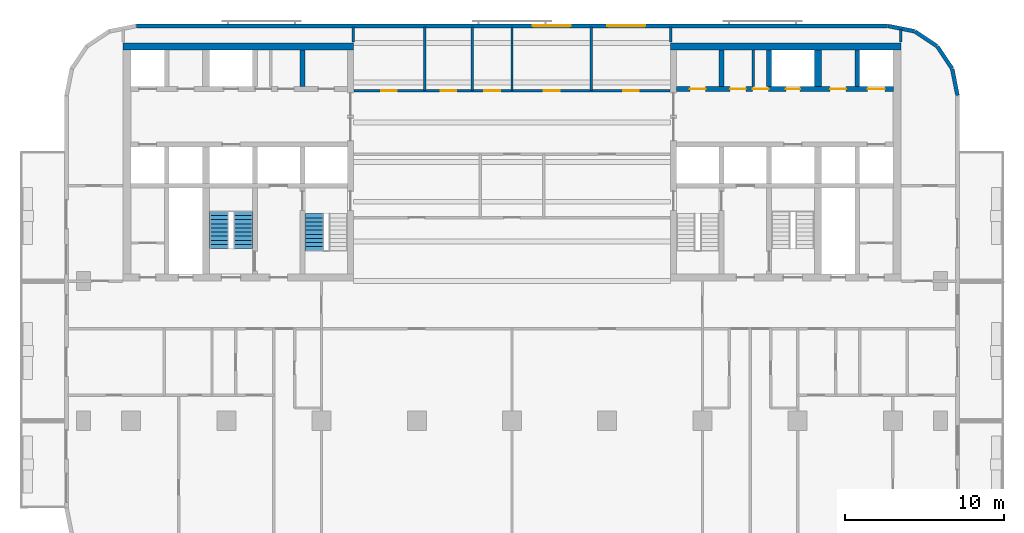
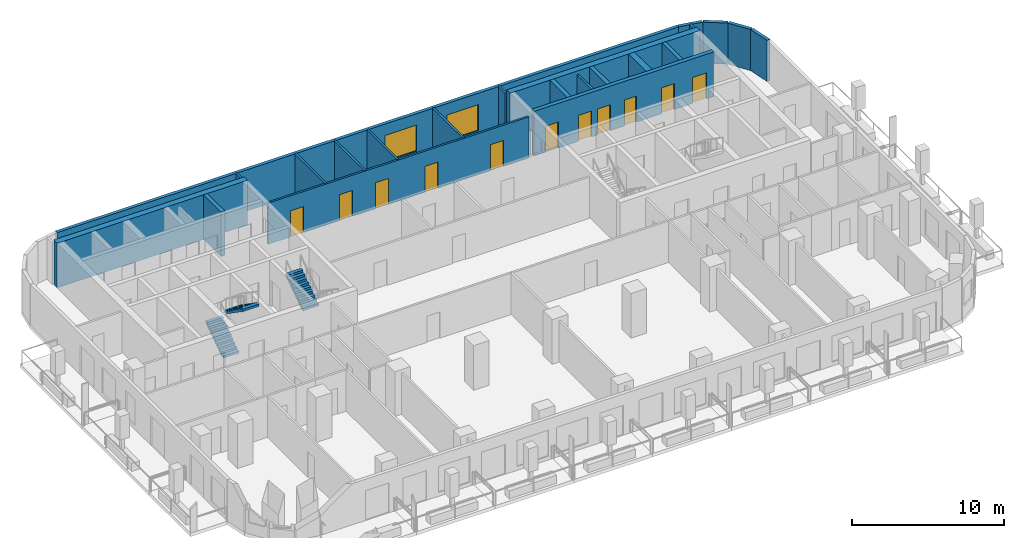
# One storey, part 7 of 11: 22 walls, 11 doors, 3 stair flights, 2 windows, 13 openings, 2 elements without a shape of their own.
"""IFC4 building model written with IfcOpenShell, lengths in metres."""

import ifcopenshell
import ifcopenshell.guid

model = None  # the IFC model being written
_history = None  # IfcOwnerHistory: only IFC2X3 demands one
_inside = {}  # id of a spatial element -> (the spatial element, [elements in it])
_under = {}  # id of a project, library or spatial element -> (it, [spatial elements below it])
_declared = {}  # id of a project -> (the project, [libraries it declares])
_typed = {}  # id of a type object -> (the type object, [elements of that type])
_made_of = {}  # id of a material, layer set ... -> (it, [elements and type objects made of it])


def new_model(schema):
    """Start an empty IFC model of exactly this schema.

    Asked for "IFC4X3", IfcOpenShell would pick the latest addendum, in which some entities
    have other attributes; the version numbers below select the first issue.
    IFC2X3 requires an IfcOwnerHistory on every rooted entity: one is made here for all.
    """
    global model, _history
    if schema == "IFC4X3":
        model = ifcopenshell.file(schema_version=(4, 3, 0, 0))
    else:
        model = ifcopenshell.file(schema=schema)
    _inside.clear()
    _under.clear()
    _declared.clear()
    _typed.clear()
    _made_of.clear()
    _history = None
    if model.schema == "IFC2X3":
        org = make("IfcOrganization", Name="unknown")
        user = make(
            "IfcPersonAndOrganization",
            ThePerson=make("IfcPerson", FamilyName="unknown"),
            TheOrganization=org,
        )
        app = make(
            "IfcApplication",
            ApplicationDeveloper=org,
            Version="unknown",
            ApplicationFullName="unknown",
            ApplicationIdentifier="unknown",
        )
        _history = make(
            "IfcOwnerHistory",
            OwningUser=user,
            OwningApplication=app,
            ChangeAction="ADDED",
            CreationDate=0,
        )
    return model


def make(cls, **values):
    """One entity of the class cls with the attributes given. An attribute that is None is left unset."""
    return model.create_entity(
        cls, **{name: value for name, value in values.items() if value is not None}
    )


def rooted(cls, **values):
    """An entity with a GlobalId (a new one), such as an element, a storey or a relation."""
    return make(cls, GlobalId=ifcopenshell.guid.new(), OwnerHistory=_history, **values)


def si_unit(unit_type, name, prefix=None):
    """IfcSIUnit, for example si_unit("LENGTHUNIT", "METRE", prefix="MILLI")."""
    return make("IfcSIUnit", UnitType=unit_type, Prefix=prefix, Name=name)


def assignment(units):
    """IfcUnitAssignment: the units of a project."""
    return None if units is None else make("IfcUnitAssignment", Units=units)


def point(xyz):
    """IfcCartesianPoint."""
    return None if xyz is None else make("IfcCartesianPoint", Coordinates=xyz)


def direction(xyz):
    """IfcDirection."""
    return None if xyz is None else make("IfcDirection", DirectionRatios=xyz)


def frame(location, z_axis=None, x_axis=None):
    """IfcAxis2Placement3D, a coordinate frame: its origin and axes. An axis left out is left unset."""
    return make(
        "IfcAxis2Placement3D",
        Location=point(location),
        Axis=direction(z_axis),
        RefDirection=direction(x_axis),
    )


def frame_2d(location, x_axis=None):
    """IfcAxis2Placement2D, a coordinate frame in the plane: its origin and x axis."""
    return make(
        "IfcAxis2Placement2D", Location=point(location), RefDirection=direction(x_axis)
    )


def origin():
    """The frame at (0, 0, 0) with its axes left unset."""
    return frame((0.0, 0.0, 0.0))


def place(relative_to, where):
    """IfcLocalPlacement: puts the frame where relative to a parent placement (None: the world)."""
    return make(
        "IfcLocalPlacement", PlacementRelTo=relative_to, RelativePlacement=where
    )


def context(
    kind, dimensions, precision=None, world=None, true_north=None, identifier=None
):
    """IfcGeometricRepresentationContext, for example the 3D "Model" context."""
    return make(
        "IfcGeometricRepresentationContext",
        ContextIdentifier=identifier,
        ContextType=kind,
        CoordinateSpaceDimension=dimensions,
        Precision=precision,
        WorldCoordinateSystem=world,
        TrueNorth=true_north,
    )


def subcontext(parent, identifier, kind, view, scale=None):
    """IfcGeometricRepresentationSubContext, for example "Body" below "Model"."""
    return make(
        "IfcGeometricRepresentationSubContext",
        ContextIdentifier=identifier,
        ContextType=kind,
        ParentContext=parent,
        TargetScale=scale,
        TargetView=view,
    )


def project(units=None, contexts=None):
    """IfcProject with its units and contexts."""
    return rooted(
        "IfcProject",
        Name="project",
        RepresentationContexts=contexts,
        UnitsInContext=assignment(units),
    )


def spatial(cls, under=None, at=None, **own):
    """A site, building, storey or space (cls), placed at a placement, below another one or the project."""
    s = rooted(cls, ObjectPlacement=at, **own)
    if under is not None:
        _under.setdefault(under.id(), (under, []))[1].append(s)
    return s


def polyline(points):
    """IfcPolyline through the points."""
    return make("IfcPolyline", Points=[point(p) for p in points])


def profile(cls, at=None, kind="AREA", **sizes):
    """A parametric profile (cls). Its sizes go by their IFC names, for example OverallWidth=200.0."""
    return make(cls, ProfileType=kind, Position=at, **sizes)


def rectangle(**sizes):
    """IfcRectangleProfileDef."""
    return profile("IfcRectangleProfileDef", **sizes)


def outline(outer, holes=None, kind="AREA"):
    """IfcArbitraryClosedProfileDef: a profile drawn as a closed curve; with holes, ...WithVoids."""
    if holes is None:
        return make("IfcArbitraryClosedProfileDef", ProfileType=kind, OuterCurve=outer)
    return make(
        "IfcArbitraryProfileDefWithVoids",
        ProfileType=kind,
        OuterCurve=outer,
        InnerCurves=holes,
    )


def extrude(swept, where, along, depth):
    """IfcExtrudedAreaSolid: the profile swept, set in the frame where, extruded along a direction by depth."""
    return make(
        "IfcExtrudedAreaSolid",
        SweptArea=swept,
        Position=where,
        ExtrudedDirection=direction(along),
        Depth=depth,
    )


def shape(context_of_items, identifier, shape_type, items):
    """IfcShapeRepresentation: the items that make up one representation, for example the "Body"."""
    return make(
        "IfcShapeRepresentation",
        ContextOfItems=context_of_items,
        RepresentationIdentifier=identifier,
        RepresentationType=shape_type,
        Items=items,
    )


def material(Name=None, Category=None):
    """IfcMaterial."""
    return make("IfcMaterial", Name=Name, Category=Category)


def layer(
    of_material, thickness, ventilated=None, Name=None, Category=None, Priority=None
):
    """IfcMaterialLayer: one layer of a wall or slab, of a material (None: an air gap)."""
    return make(
        "IfcMaterialLayer",
        Material=of_material,
        LayerThickness=thickness,
        IsVentilated=ventilated,
        Name=Name,
        Category=Category,
        Priority=Priority,
    )


def layer_set(layers, Name=None):
    """IfcMaterialLayerSet."""
    return make("IfcMaterialLayerSet", MaterialLayers=layers, LayerSetName=Name)


def made_of(thing, what):
    """Note that an element or type object is made of a material, layer set ...; save() writes the relation."""
    if what is not None:
        _made_of.setdefault(what.id(), (what, []))[1].append(thing)
    return thing


def type_object(cls, material=None, **own):
    """A type object (cls), such as IfcWallType, which elements share."""
    return made_of(rooted(cls, **own), material)


def element(
    cls,
    number,
    at=None,
    inside=None,
    cuts=None,
    type_object=None,
    material=None,
    context=None,
    identifier="Body",
    shape_type=None,
    held_by="IfcProductDefinitionShape",
    body=None,
    shapes=None,
    **own,
):
    """One element of the class cls, such as IfcWall. Its Tag is "e" and its number.

    at: its placement. inside: the storey or other place that contains it. cuts: it is an
    opening in that element (IfcRelVoidsElement). A single representation is given by context,
    identifier, shape_type and body (its items); several are given by shapes. held_by: the class
    of the entity that holds the representations. save() writes the other relations.
    """
    e = rooted(cls, Tag="e%d" % number, ObjectPlacement=at, **own)
    if body is not None:
        shapes = [shape(context, identifier, shape_type, body)]
    if shapes is not None:
        e.Representation = make(held_by, Representations=shapes)
    if inside is not None:
        _inside.setdefault(inside.id(), (inside, []))[1].append(e)
    if cuts is not None:
        rooted(
            "IfcRelVoidsElement", RelatingBuildingElement=cuts, RelatedOpeningElement=e
        )
    if type_object is not None:
        _typed.setdefault(type_object.id(), (type_object, []))[1].append(e)
    return made_of(e, material)


def fill(opening, filler):
    """IfcRelFillsElement: the door or window that sits in an opening."""
    return rooted(
        "IfcRelFillsElement",
        RelatingOpeningElement=opening,
        RelatedBuildingElement=filler,
    )


def aggregate(whole, parts):
    """IfcRelAggregates: a whole, such as a stair, and the parts it consists of."""
    return rooted("IfcRelAggregates", RelatingObject=whole, RelatedObjects=parts)


def save(model, path):
    """Write the relations noted so far, then the file.

    IfcRelAggregates (storeys below a building ...), IfcRelContainedInSpatialStructure (elements
    in a storey), IfcRelDefinesByType, IfcRelAssociatesMaterial and IfcRelDeclares: one each for
    every whole, place, type object, material and project.
    """
    for whole, parts in _under.values():
        aggregate(whole, parts)
    for where, things in _inside.values():
        rooted(
            "IfcRelContainedInSpatialStructure",
            RelatedElements=things,
            RelatingStructure=where,
        )
    for kind, things in _typed.values():
        rooted("IfcRelDefinesByType", RelatedObjects=things, RelatingType=kind)
    for what, things in _made_of.values():
        rooted("IfcRelAssociatesMaterial", RelatedObjects=things, RelatingMaterial=what)
    for by, libraries in _declared.values():
        rooted("IfcRelDeclares", RelatingContext=by, RelatedDefinitions=libraries)
    model.write(path)


model = new_model("IFC4")

# Units and contexts
model_context = context("Model", 3, precision=1e-05, world=origin(), true_north=direction((0.0, 1.0)))
body_context = subcontext(model_context, "Body", "Model", "MODEL_VIEW")
ifc_project = project(units=[si_unit("LENGTHUNIT", "METRE"), si_unit("AREAUNIT", "SQUARE_METRE"), si_unit("VOLUMEUNIT", "CUBIC_METRE"), si_unit("PLANEANGLEUNIT", "RADIAN"), si_unit("MASSUNIT", "GRAM", prefix="KILO")], contexts=[model_context])

# Site, building, storey
site_placement = place(None, origin())
site = spatial("IfcSite", under=ifc_project, at=site_placement, CompositionType="ELEMENT")
building_placement = place(site_placement, origin())
building = spatial("IfcBuilding", under=site, at=building_placement, Name="Torana Hotel and Residences", CompositionType="ELEMENT")
storey_placement = place(building_placement, frame((0.0, 0.0, 130.800048828125)))
storey = spatial("IfcBuildingStorey", under=building, at=storey_placement, Name="L33", CompositionType="ELEMENT", Elevation=130.800048828125)

# Wall
ifc_material_1 = material(Name="Concrete C70/85", Category="concrete")
ifc_layer_1 = layer(ifc_material_1, 0.300048828125)
ifc_layer_set_1 = layer_set([ifc_layer_1], Name="CORE WALL 300 C70/85")
wall_type_1 = type_object("IfcWallType", Name="CORE WALL 300 C70/85", PredefinedType="SHEAR", material=ifc_layer_set_1)
wall_1_placement = place(storey_placement, frame((-13.199951171875, -2.75, 0.0), z_axis=(0.0, 0.0, 1.0), x_axis=(0.0, 1.0, 0.0)))
element("IfcWall", 1, at=wall_1_placement, inside=storey, type_object=wall_type_1, Name="Core wall W x3.05-N", PredefinedType="SHEAR", context=body_context, shape_type="SweptSolid", body=[
    extrude(rectangle(XDim=2.300048828125, YDim=0.300048828125, at=frame_2d((1.14990234375, 0.0))), origin(), (0.0, 0.0, 1.0), 3.599853515625),
])

# Wall, openings, doors
wall_2_placement = place(storey_placement, frame((10.35009765625, -2.89990234375, 0.0), z_axis=(0.0, 0.0, 1.0), x_axis=(1.0, 0.0, 0.0)))
wall_2 = element("IfcWall", 2, at=wall_2_placement, inside=storey, type_object=wall_type_1, Name="Core wall E row-N", PredefinedType="SHEAR", context=body_context, shape_type="SweptSolid", body=[
    extrude(rectangle(XDim=13.699951171875, YDim=0.300048828125, at=frame_2d((6.85009765625, 0.0))), origin(), (0.0, 0.0, 1.0), 3.599853515625),
])
opening_1_placement = place(wall_2_placement, frame((12.050048828125, 0.0, 0.0)))
opening_1 = element("IfcOpeningElement", 3, at=opening_1_placement, cuts=wall_2, Name="Opening LD", PredefinedType="OPENING", context=body_context, shape_type="SweptSolid", body=[
    extrude(rectangle(XDim=1.10009765625, YDim=2.10009765625, at=frame_2d((0.550048828125, 1.050048828125))), frame((0.0, 0.159912109375, 0.0), z_axis=(0.0, -1.0, 0.0), x_axis=(1.0, 0.0, 0.0)), (0.0, 0.0, 1.0), 0.320068359375),
])
opening_2_placement = place(wall_2_placement, frame((6.89990234375, 0.0, 0.0)))
opening_2 = element("IfcOpeningElement", 4, at=opening_2_placement, cuts=wall_2, Name="Opening L33-22", PredefinedType="OPENING", context=body_context, shape_type="SweptSolid", body=[
    extrude(rectangle(XDim=0.89990234375, YDim=2.10009765625, at=frame_2d((0.449951171875, 1.050048828125))), frame((0.0, 0.159912109375, 0.0), z_axis=(0.0, -1.0, 0.0), x_axis=(1.0, 0.0, 0.0)), (0.0, 0.0, 1.0), 0.320068359375),
])
opening_3_placement = place(wall_2_placement, frame((0.85009765625, 0.0, 0.0)))
opening_3 = element("IfcOpeningElement", 5, at=opening_3_placement, cuts=wall_2, Name="Opening L33-23", PredefinedType="OPENING", context=body_context, shape_type="SweptSolid", body=[
    extrude(rectangle(XDim=1.0, YDim=2.10009765625, at=frame_2d((0.5, 1.050048828125))), frame((0.0, 0.159912109375, 0.0), z_axis=(0.0, -1.0, 0.0), x_axis=(1.0, 0.0, 0.0)), (0.0, 0.0, 1.0), 0.320068359375),
])
opening_4_placement = place(wall_2_placement, frame((3.387451171875, 0.0, 0.0)))
opening_4 = element("IfcOpeningElement", 6, at=opening_4_placement, cuts=wall_2, Name="Opening L33-24", PredefinedType="OPENING", context=body_context, shape_type="SweptSolid", body=[
    extrude(rectangle(XDim=1.0, YDim=2.10009765625, at=frame_2d((0.5, 1.050048828125))), frame((0.0, 0.159912109375, 0.0), z_axis=(0.0, -1.0, 0.0), x_axis=(1.0, 0.0, 0.0)), (0.0, 0.0, 1.0), 0.320068359375),
])
opening_5_placement = place(wall_2_placement, frame((4.8125, 0.0, 0.0)))
opening_5 = element("IfcOpeningElement", 7, at=opening_5_placement, cuts=wall_2, Name="Opening L33-25", PredefinedType="OPENING", context=body_context, shape_type="SweptSolid", body=[
    extrude(rectangle(XDim=1.0, YDim=2.10009765625, at=frame_2d((0.5, 1.050048828125))), frame((0.0, 0.159912109375, 0.0), z_axis=(0.0, -1.0, 0.0), x_axis=(1.0, 0.0, 0.0)), (0.0, 0.0, 1.0), 0.320068359375),
])
opening_6_placement = place(wall_2_placement, frame((9.699951171875, 0.0, 0.0)))
opening_6 = element("IfcOpeningElement", 8, at=opening_6_placement, cuts=wall_2, Name="Opening L33-26", PredefinedType="OPENING", context=body_context, shape_type="SweptSolid", body=[
    extrude(rectangle(XDim=1.0, YDim=2.10009765625, at=frame_2d((0.5, 1.050048828125))), frame((0.0, 0.159912109375, 0.0), z_axis=(0.0, -1.0, 0.0), x_axis=(1.0, 0.0, 0.0)), (0.0, 0.0, 1.0), 0.320068359375),
])
ifc_material_2 = material(Name="Steel S235", Category="steel")
door_type_1 = type_object("IfcDoorType", Name="CORE ROOM FIRE DOOR D14 1000x2100", OperationType="SINGLE_SWING_LEFT", PredefinedType="DOOR", material=ifc_material_2)
door_1_placement = place(opening_3_placement, origin())
door_1 = element("IfcDoor", 9, at=door_1_placement, inside=storey, type_object=door_type_1, Name="N0 door L33", OperationType="SINGLE_SWING_RIGHT", OverallHeight=2.10009765625, OverallWidth=1.0, PredefinedType="DOOR", context=body_context, shape_type="SweptSolid", body=[
    extrude(rectangle(XDim=1.0, YDim=2.10009765625, at=frame_2d((0.5, 1.050048828125))), frame((0.0, 0.02490234375, 0.0), z_axis=(0.0, -1.0, 0.0), x_axis=(1.0, 0.0, 0.0)), (0.0, 0.0, 1.0), 0.050048828125),
])
fill(opening_3, door_1)
door_2_placement = place(opening_4_placement, origin())
door_2 = element("IfcDoor", 10, at=door_2_placement, inside=storey, type_object=door_type_1, Name="N1A door L33", OperationType="SINGLE_SWING_RIGHT", OverallHeight=2.10009765625, OverallWidth=1.0, PredefinedType="DOOR", context=body_context, shape_type="SweptSolid", body=[
    extrude(rectangle(XDim=1.0, YDim=2.10009765625, at=frame_2d((0.5, 1.050048828125))), frame((0.0, 0.02490234375, 0.0), z_axis=(0.0, -1.0, 0.0), x_axis=(1.0, 0.0, 0.0)), (0.0, 0.0, 1.0), 0.050048828125),
])
fill(opening_4, door_2)
door_3_placement = place(opening_5_placement, origin())
door_3 = element("IfcDoor", 11, at=door_3_placement, inside=storey, type_object=door_type_1, Name="N1B door L33", OperationType="SINGLE_SWING_LEFT", OverallHeight=2.10009765625, OverallWidth=1.0, PredefinedType="DOOR", context=body_context, shape_type="SweptSolid", body=[
    extrude(rectangle(XDim=1.0, YDim=2.10009765625, at=frame_2d((0.5, 1.050048828125))), frame((0.0, 0.02490234375, 0.0), z_axis=(0.0, -1.0, 0.0), x_axis=(1.0, 0.0, 0.0)), (0.0, 0.0, 1.0), 0.050048828125),
])
fill(opening_5, door_3)
door_4_placement = place(opening_6_placement, origin())
door_4 = element("IfcDoor", 12, at=door_4_placement, inside=storey, type_object=door_type_1, Name="Freed-S2 door L33", OperationType="SINGLE_SWING_RIGHT", OverallHeight=2.10009765625, OverallWidth=1.0, PredefinedType="DOOR", context=body_context, shape_type="SweptSolid", body=[
    extrude(rectangle(XDim=1.0, YDim=2.10009765625, at=frame_2d((0.5, 1.050048828125))), frame((0.0, 0.02490234375, 0.0), z_axis=(0.0, -1.0, 0.0), x_axis=(1.0, 0.0, 0.0)), (0.0, 0.0, 1.0), 0.050048828125),
])
fill(opening_6, door_4)
ifc_material_3 = material(Name="Stainless steel 316", Category="steel")
door_type_2 = type_object("IfcDoorType", Name="LIFT LANDING DOOR LD 1100x2100", OperationType="DOUBLE_DOOR_SLIDING", PredefinedType="USERDEFINED", material=ifc_material_3)
door_5_placement = place(opening_1_placement, origin())
door_5 = element("IfcDoor", 13, at=door_5_placement, inside=storey, type_object=door_type_2, Name="Lift landing door M3 L33", ObjectType="LIFT LANDING DOOR", OperationType="DOUBLE_DOOR_SLIDING", OverallHeight=2.10009765625, OverallWidth=1.10009765625, PredefinedType="USERDEFINED", context=body_context, shape_type="SweptSolid", body=[
    extrude(rectangle(XDim=1.10009765625, YDim=2.10009765625, at=frame_2d((0.550048828125, 1.050048828125))), frame((0.0, 0.02490234375, 0.0), z_axis=(0.0, -1.0, 0.0), x_axis=(1.0, 0.0, 0.0)), (0.0, 0.0, 1.0), 0.050048828125),
])
fill(opening_1, door_5)
ifc_material_4 = material(Name="Steel S235", Category="steel")
door_type_3 = type_object("IfcDoorType", Name="RISER ACCESS DOOR D5 900x2100", OperationType="SINGLE_SWING_LEFT", PredefinedType="DOOR", material=ifc_material_4)
door_6_placement = place(opening_2_placement, origin())
door_6 = element("IfcDoor", 14, at=door_6_placement, inside=storey, type_object=door_type_3, Name="N2 door L33", OperationType="SINGLE_SWING_RIGHT", OverallHeight=2.10009765625, OverallWidth=0.89990234375, PredefinedType="DOOR", context=body_context, shape_type="SweptSolid", body=[
    extrude(rectangle(XDim=0.89990234375, YDim=2.10009765625, at=frame_2d((0.449951171875, 1.050048828125))), frame((0.0, 0.02490234375, 0.0), z_axis=(0.0, -1.0, 0.0), x_axis=(1.0, 0.0, 0.0)), (0.0, 0.0, 1.0), 0.050048828125),
])
fill(opening_2, door_6)

# Walls
for number, where, z_axis, x_axis, name in (
    (15, (13.199951171875, -2.75, 0.0), (0.0, 0.0, 1.0), (0.0, 1.0, 0.0), "Core wall E x3.05-N"),
    (16, (16.199951171875, -2.75, 0.0), (0.0, 0.0, 1.0), (0.0, 1.0, 0.0), "Core wall E x6.05-N"),
    (17, (21.75, -2.75, 0.0), (0.0, 0.0, 1.0), (0.0, 1.0, 0.0), "Core wall E mm-N"),
):
    element("IfcWall", number, at=place(storey_placement, frame(where, z_axis=z_axis, x_axis=x_axis)), inside=storey, type_object=wall_type_1, Name=name, PredefinedType="SHEAR", context=body_context, shape_type="SweptSolid", body=[
        extrude(rectangle(XDim=2.300048828125, YDim=0.300048828125, at=frame_2d((1.14990234375, 0.0))), origin(), (0.0, 0.0, 1.0), 3.599853515625),
    ])
ifc_material_5 = material(Name="Concrete C70/85", Category="concrete")
ifc_layer_2 = layer(ifc_material_5, 0.449951171875)
ifc_layer_set_2 = layer_set([ifc_layer_2], Name="CORE WALL 450 C70/85")
wall_type_2 = type_object("IfcWallType", Name="CORE WALL 450 C70/85", PredefinedType="SHEAR", material=ifc_layer_set_2)
for number, where, z_axis, x_axis, name in (
    (18, (-24.5, -0.22509765625, 0.0), (0.0, 0.0, 1.0), (1.0, 0.0, 0.0), "Core wall W rear"),
    (19, (10.0, -0.22509765625, 0.0), (0.0, 0.0, 1.0), (1.0, 0.0, 0.0), "Core wall E rear"),
):
    element("IfcWall", number, at=place(storey_placement, frame(where, z_axis=z_axis, x_axis=x_axis)), inside=storey, type_object=wall_type_2, Name=name, PredefinedType="SHEAR", context=body_context, shape_type="SweptSolid", body=[
        extrude(rectangle(XDim=14.5, YDim=0.449951171875, at=frame_2d((7.25, 0.0))), origin(), (0.0, 0.0, 1.0), 3.599853515625),
    ])
wall_3_placement = place(storey_placement, frame((19.27490234375, -2.75, 0.0), z_axis=(0.0, 0.0, 1.0), x_axis=(0.0, 1.0, 0.0)))
element("IfcWall", 20, at=wall_3_placement, inside=storey, type_object=wall_type_2, Name="Core wall E hm-N", PredefinedType="SHEAR", context=body_context, shape_type="SweptSolid", body=[
    extrude(rectangle(XDim=2.300048828125, YDim=0.449951171875, at=frame_2d((1.14990234375, 0.0))), origin(), (0.0, 0.0, 1.0), 3.599853515625),
])
ifc_material_6 = material(Name="Black aluminium composite panel", Category="aluminium")
ifc_layer_3 = layer(ifc_material_6, 0.00390625, Name="Cladding", Category="cladding")
ifc_material_7 = material(Name="Ventilated air cavity")
ifc_layer_4 = layer(ifc_material_7, 0.0400390625, Name="Ventilated cavity", Category="cavity")
ifc_material_8 = material(Name="Mineral wool insulation")
ifc_layer_5 = layer(ifc_material_8, 0.090087890625, Name="Insulation", Category="insulation")
ifc_material_9 = material(Name="Steel S280GD", Category="steel")
ifc_layer_6 = layer(ifc_material_9, 0.092041015625, Name="Steel stud frame", Category="structure")
ifc_material_10 = material(Name="Fire rated plasterboard")
ifc_layer_7 = layer(ifc_material_10, 0.011962890625, Name="Inner board", Category="finish")
ifc_layer_8 = layer(ifc_material_10, 0.011962890625, Name="Second board", Category="finish")
ifc_layer_set_3 = layer_set([ifc_layer_3, ifc_layer_4, ifc_layer_5, ifc_layer_6, ifc_layer_7, ifc_layer_8], Name="EW1 EXTERNAL WALL BLACK METAL CLAD 250")
wall_type_3 = type_object("IfcWallType", Name="EW1 EXTERNAL WALL BLACK METAL CLAD 250", PredefinedType="SOLIDWALL", material=ifc_layer_set_3)
wall_4_placement = place(storey_placement, frame((28.072509765625, -3.30029296875, 0.0), z_axis=(0.0, 0.0, 1.0), x_axis=(-0.194999110559, 0.980803419081, 0.0)))
element("IfcWall", 21, at=wall_4_placement, inside=storey, type_object=wall_type_3, Name="External wall L33 e0.0", PredefinedType="SOLIDWALL", context=body_context, shape_type="SweptSolid", body=[
    extrude(rectangle(XDim=1.681396484375, YDim=0.25, at=frame_2d((0.8408203125, 0.0))), origin(), (0.0, 0.0, 1.0), 3.320068359375),
])
for number, where, z_axis, x_axis, name in (
    (22, (27.725830078125, -1.60595703125, 0.0), (0.0, 0.0, 1.0), (-0.55555029066, 0.831482937015, 0.0), "External wall L33 e0.1"),
    (23, (26.771240234375, -0.1943359375, 0.0), (0.0, 0.0, 1.0), (-0.831482937015, 0.55555029066, 0.0), "External wall L33 e0.2"),
):
    element("IfcWall", number, at=place(storey_placement, frame(where, z_axis=z_axis, x_axis=x_axis)), inside=storey, type_object=wall_type_3, Name=name, PredefinedType="SOLIDWALL", context=body_context, shape_type="SweptSolid", body=[
        extrude(rectangle(XDim=1.65625, YDim=0.25, at=frame_2d((0.828125, 0.0))), origin(), (0.0, 0.0, 1.0), 3.320068359375),
    ])
wall_5_placement = place(storey_placement, frame((25.348876953125, 0.74462890625, 0.0), z_axis=(0.0, 0.0, 1.0), x_axis=(-0.980803419081, 0.194999110559, 0.0)))
element("IfcWall", 24, at=wall_5_placement, inside=storey, type_object=wall_type_3, Name="External wall L33 e0.3", PredefinedType="SOLIDWALL", context=body_context, shape_type="SweptSolid", body=[
    extrude(rectangle(XDim=1.681396484375, YDim=0.25, at=frame_2d((0.8408203125, 0.0))), origin(), (0.0, 0.0, 1.0), 3.320068359375),
])

# Wall, openings, windows
ifc_material_11 = material(Name="Concrete C40/50 precast", Category="concrete")
ifc_layer_9 = layer(ifc_material_11, 0.10009765625, Name="Perforated block", Category="cladding")
ifc_material_12 = material(Name="Air cavity")
ifc_layer_10 = layer(ifc_material_12, 0.030029296875, Name="Cavity", Category="cavity")
ifc_material_13 = material(Name="Concrete C40/50", Category="concrete")
ifc_layer_11 = layer(ifc_material_13, 0.10009765625, Name="Wall", Category="structure")
ifc_material_14 = material(Name="Plaster and paint")
ifc_layer_12 = layer(ifc_material_14, 0.02001953125, Name="Inner finish", Category="finish")
ifc_layer_set_4 = layer_set([ifc_layer_9, ifc_layer_10, ifc_layer_11, ifc_layer_12], Name="EW2 PERFORATED BLOCK SCREEN WALL 250")
wall_type_4 = type_object("IfcWallType", Name="EW2 PERFORATED BLOCK SCREEN WALL 250", PredefinedType="SOLIDWALL", material=ifc_layer_set_4)
wall_6_placement = place(storey_placement, frame((23.67529296875, 1.074951171875, 0.0), z_axis=(0.0, 0.0, 1.0), x_axis=(-1.0, 0.0, 0.0)))
wall_6 = element("IfcWall", 25, at=wall_6_placement, inside=storey, type_object=wall_type_4, Name="External wall L33 e0.4", PredefinedType="SOLIDWALL", context=body_context, shape_type="SweptSolid", body=[
    extrude(rectangle(XDim=47.3505859375, YDim=0.25, at=frame_2d((23.67529296875, 0.0))), origin(), (0.0, 0.0, 1.0), 3.320068359375),
])
opening_7_placement = place(wall_6_placement, frame((15.275390625, 0.0, 0.300048828125)))
opening_7 = element("IfcOpeningElement", 26, at=opening_7_placement, cuts=wall_6, Name="Opening W1", PredefinedType="OPENING", context=body_context, shape_type="SweptSolid", body=[
    extrude(rectangle(XDim=2.39990234375, YDim=2.10009765625, at=frame_2d((1.199951171875, 1.050048828125))), frame((0.0, 0.135009765625, 0.0), z_axis=(0.0, -1.0, 0.0), x_axis=(1.0, 0.0, 0.0)), (0.0, 0.0, 1.0), 0.27001953125),
])
opening_8_placement = place(wall_6_placement, frame((19.975341796875, 0.0, 0.300048828125)))
opening_8 = element("IfcOpeningElement", 27, at=opening_8_placement, cuts=wall_6, Name="Opening W1", PredefinedType="OPENING", context=body_context, shape_type="SweptSolid", body=[
    extrude(rectangle(XDim=2.39990234375, YDim=2.10009765625, at=frame_2d((1.199951171875, 1.050048828125))), frame((0.0, 0.135009765625, 0.0), z_axis=(0.0, -1.0, 0.0), x_axis=(1.0, 0.0, 0.0)), (0.0, 0.0, 1.0), 0.27001953125),
])
ifc_material_15 = material(Name="Dark glass in black aluminium frame", Category="aluminium")
window_type = type_object("IfcWindowType", Name="W1 HOTEL ROOM WINDOW 2400x2100", PartitioningType="SINGLE_PANEL", PredefinedType="WINDOW", material=ifc_material_15)
window_1_placement = place(opening_7_placement, origin())
window_1 = element("IfcWindow", 28, at=window_1_placement, inside=storey, type_object=window_type, Name="Window L33", OverallHeight=2.10009765625, OverallWidth=2.39990234375, PartitioningType="SINGLE_PANEL", PredefinedType="WINDOW", context=body_context, shape_type="SweptSolid", body=[
    extrude(rectangle(XDim=2.39990234375, YDim=2.10009765625, at=frame_2d((1.199951171875, 1.050048828125))), frame((0.0, 0.030029296875, 0.0), z_axis=(0.0, -1.0, 0.0), x_axis=(1.0, 0.0, 0.0)), (0.0, 0.0, 1.0), 0.06005859375),
])
fill(opening_7, window_1)
window_2_placement = place(opening_8_placement, origin())
window_2 = element("IfcWindow", 29, at=window_2_placement, inside=storey, type_object=window_type, Name="Window L33", OverallHeight=2.10009765625, OverallWidth=2.39990234375, PartitioningType="SINGLE_PANEL", PredefinedType="WINDOW", context=body_context, shape_type="SweptSolid", body=[
    extrude(rectangle(XDim=2.39990234375, YDim=2.10009765625, at=frame_2d((1.199951171875, 1.050048828125))), frame((0.0, 0.030029296875, 0.0), z_axis=(0.0, -1.0, 0.0), x_axis=(1.0, 0.0, 0.0)), (0.0, 0.0, 1.0), 0.06005859375),
])
fill(opening_8, window_2)

# Wall
ifc_material_16 = material(Name="Gypsum plaster")
ifc_layer_13 = layer(ifc_material_16, 0.014892578125, Name="Plaster", Category="finish")
ifc_material_17 = material(Name="Concrete blockwork", Category="masonry")
ifc_layer_14 = layer(ifc_material_17, 0.1201171875, Name="Blockwork", Category="structure")
ifc_layer_15 = layer(ifc_material_16, 0.014892578125, Name="Plaster", Category="finish")
ifc_layer_set_5 = layer_set([ifc_layer_13, ifc_layer_14, ifc_layer_15], Name="FIRE PARTITION 150 BLOCKWORK")
wall_type_5 = type_object("IfcWallType", Name="FIRE PARTITION 150 BLOCKWORK", PredefinedType="PARTITIONING", material=ifc_layer_set_5)
wall_7_placement = place(storey_placement, frame((15.199951171875, -2.75, 0.0), z_axis=(0.0, 0.0, 1.0), x_axis=(0.0, 1.0, 0.0)))
element("IfcWall", 30, at=wall_7_placement, inside=storey, type_object=wall_type_5, Name="Core partition L33", PredefinedType="PARTITIONING", context=body_context, shape_type="SweptSolid", body=[
    extrude(rectangle(XDim=2.300048828125, YDim=0.14990234375, at=frame_2d((1.14990234375, 0.0))), origin(), (0.0, 0.0, 1.0), 3.300048828125),
])

# Wall, openings, doors
wall_8_placement = place(storey_placement, frame((-9.949951171875, -3.0, 0.0), z_axis=(0.0, 0.0, 1.0), x_axis=(1.0, 0.0, 0.0)))
wall_8 = element("IfcWall", 31, at=wall_8_placement, inside=storey, type_object=wall_type_5, Name="Partition L33", PredefinedType="PARTITIONING", context=body_context, shape_type="SweptSolid", body=[
    extrude(rectangle(XDim=19.89990234375, YDim=0.14990234375, at=frame_2d((9.949951171875, 0.0))), origin(), (0.0, 0.0, 1.0), 3.320068359375),
])
opening_9_placement = place(wall_8_placement, frame((1.699951171875, 0.0, 0.0)))
opening_9 = element("IfcOpeningElement", 32, at=opening_9_placement, cuts=wall_8, Name="Opening L33-46", PredefinedType="OPENING", context=body_context, shape_type="SweptSolid", body=[
    extrude(rectangle(XDim=1.0, YDim=2.10009765625, at=frame_2d((0.5, 1.050048828125))), frame((0.0, 0.0849609375, 0.0), z_axis=(0.0, -1.0, 0.0), x_axis=(1.0, 0.0, 0.0)), (0.0, 0.0, 1.0), 0.169921875),
])
opening_10_placement = place(wall_8_placement, frame((5.449951171875, 0.0, 0.0)))
opening_10 = element("IfcOpeningElement", 33, at=opening_10_placement, cuts=wall_8, Name="Opening L33-47", PredefinedType="OPENING", context=body_context, shape_type="SweptSolid", body=[
    extrude(rectangle(XDim=1.0, YDim=2.10009765625, at=frame_2d((0.5, 1.050048828125))), frame((0.0, 0.0849609375, 0.0), z_axis=(0.0, -1.0, 0.0), x_axis=(1.0, 0.0, 0.0)), (0.0, 0.0, 1.0), 0.169921875),
])
opening_11_placement = place(wall_8_placement, frame((8.199951171875, 0.0, 0.0)))
opening_11 = element("IfcOpeningElement", 34, at=opening_11_placement, cuts=wall_8, Name="Opening L33-48", PredefinedType="OPENING", context=body_context, shape_type="SweptSolid", body=[
    extrude(rectangle(XDim=1.0, YDim=2.10009765625, at=frame_2d((0.5, 1.050048828125))), frame((0.0, 0.0849609375, 0.0), z_axis=(0.0, -1.0, 0.0), x_axis=(1.0, 0.0, 0.0)), (0.0, 0.0, 1.0), 0.169921875),
])
opening_12_placement = place(wall_8_placement, frame((11.949951171875, 0.0, 0.0)))
opening_12 = element("IfcOpeningElement", 35, at=opening_12_placement, cuts=wall_8, Name="Opening L33-49", PredefinedType="OPENING", context=body_context, shape_type="SweptSolid", body=[
    extrude(rectangle(XDim=1.0, YDim=2.10009765625, at=frame_2d((0.5, 1.050048828125))), frame((0.0, 0.0849609375, 0.0), z_axis=(0.0, -1.0, 0.0), x_axis=(1.0, 0.0, 0.0)), (0.0, 0.0, 1.0), 0.169921875),
])
opening_13_placement = place(wall_8_placement, frame((16.949951171875, 0.0, 0.0)))
opening_13 = element("IfcOpeningElement", 36, at=opening_13_placement, cuts=wall_8, Name="Opening L33-50", PredefinedType="OPENING", context=body_context, shape_type="SweptSolid", body=[
    extrude(rectangle(XDim=1.0, YDim=2.10009765625, at=frame_2d((0.5, 1.050048828125))), frame((0.0, 0.0849609375, 0.0), z_axis=(0.0, -1.0, 0.0), x_axis=(1.0, 0.0, 0.0)), (0.0, 0.0, 1.0), 0.169921875),
])
ifc_material_18 = material(Name="Steel S235", Category="steel")
door_type_4 = type_object("IfcDoorType", Name="ENTRY FIRE DOOR D6 1000x2100", OperationType="SINGLE_SWING_LEFT", PredefinedType="DOOR", material=ifc_material_18)
door_7_placement = place(opening_9_placement, origin())
door_7 = element("IfcDoor", 37, at=door_7_placement, inside=storey, type_object=door_type_4, Name="Door L33", OperationType="SINGLE_SWING_RIGHT", OverallHeight=2.10009765625, OverallWidth=1.0, PredefinedType="DOOR", context=body_context, shape_type="SweptSolid", body=[
    extrude(rectangle(XDim=1.0, YDim=2.10009765625, at=frame_2d((0.5, 1.050048828125))), frame((0.0, 0.02490234375, 0.0), z_axis=(0.0, -1.0, 0.0), x_axis=(1.0, 0.0, 0.0)), (0.0, 0.0, 1.0), 0.050048828125),
])
fill(opening_9, door_7)
door_8_placement = place(opening_10_placement, origin())
door_8 = element("IfcDoor", 38, at=door_8_placement, inside=storey, type_object=door_type_4, Name="Door L33", OperationType="SINGLE_SWING_RIGHT", OverallHeight=2.10009765625, OverallWidth=1.0, PredefinedType="DOOR", context=body_context, shape_type="SweptSolid", body=[
    extrude(rectangle(XDim=1.0, YDim=2.10009765625, at=frame_2d((0.5, 1.050048828125))), frame((0.0, 0.02490234375, 0.0), z_axis=(0.0, -1.0, 0.0), x_axis=(1.0, 0.0, 0.0)), (0.0, 0.0, 1.0), 0.050048828125),
])
fill(opening_10, door_8)
door_9_placement = place(opening_11_placement, origin())
door_9 = element("IfcDoor", 39, at=door_9_placement, inside=storey, type_object=door_type_4, Name="Door L33", OperationType="SINGLE_SWING_RIGHT", OverallHeight=2.10009765625, OverallWidth=1.0, PredefinedType="DOOR", context=body_context, shape_type="SweptSolid", body=[
    extrude(rectangle(XDim=1.0, YDim=2.10009765625, at=frame_2d((0.5, 1.050048828125))), frame((0.0, 0.02490234375, 0.0), z_axis=(0.0, -1.0, 0.0), x_axis=(1.0, 0.0, 0.0)), (0.0, 0.0, 1.0), 0.050048828125),
])
fill(opening_11, door_9)
door_10_placement = place(opening_12_placement, origin())
door_10 = element("IfcDoor", 40, at=door_10_placement, inside=storey, type_object=door_type_4, Name="Door L33", OperationType="SINGLE_SWING_RIGHT", OverallHeight=2.10009765625, OverallWidth=1.0, PredefinedType="DOOR", context=body_context, shape_type="SweptSolid", body=[
    extrude(rectangle(XDim=1.0, YDim=2.10009765625, at=frame_2d((0.5, 1.050048828125))), frame((0.0, 0.02490234375, 0.0), z_axis=(0.0, -1.0, 0.0), x_axis=(1.0, 0.0, 0.0)), (0.0, 0.0, 1.0), 0.050048828125),
])
fill(opening_12, door_10)
door_11_placement = place(opening_13_placement, origin())
door_11 = element("IfcDoor", 41, at=door_11_placement, inside=storey, type_object=door_type_4, Name="Door L33", OperationType="SINGLE_SWING_RIGHT", OverallHeight=2.10009765625, OverallWidth=1.0, PredefinedType="DOOR", context=body_context, shape_type="SweptSolid", body=[
    extrude(rectangle(XDim=1.0, YDim=2.10009765625, at=frame_2d((0.5, 1.050048828125))), frame((0.0, 0.02490234375, 0.0), z_axis=(0.0, -1.0, 0.0), x_axis=(1.0, 0.0, 0.0)), (0.0, 0.0, 1.0), 0.050048828125),
])
fill(opening_13, door_11)

# Walls
ifc_material_19 = material(Name="Gypsum plasterboard")
ifc_layer_16 = layer(ifc_material_19, 0.012451171875, Name="Plasterboard", Category="finish")
ifc_layer_17 = layer(ifc_material_19, 0.012451171875, Name="Plasterboard", Category="finish")
ifc_layer_18 = layer(ifc_material_9, 0.10009765625, Name="Steel studs with mineral wool", Category="insulation")
ifc_layer_19 = layer(ifc_material_19, 0.012451171875, Name="Plasterboard", Category="finish")
ifc_layer_20 = layer(ifc_material_19, 0.012451171875, Name="Plasterboard", Category="finish")
ifc_layer_set_6 = layer_set([ifc_layer_16, ifc_layer_17, ifc_layer_18, ifc_layer_19, ifc_layer_20], Name="PARTITION 150 PLASTERBOARD")
wall_type_6 = type_object("IfcWallType", Name="PARTITION 150 PLASTERBOARD", PredefinedType="PARTITIONING", material=ifc_layer_set_6)
wall_9_placement = place(storey_placement, frame((24.5, 0.050048828125, 0.0), z_axis=(0.0, 0.0, 1.0), x_axis=(0.0, 1.0, 0.0)))
element("IfcWall", 42, at=wall_9_placement, inside=storey, type_object=wall_type_6, Name="Partition L33", PredefinedType="PARTITIONING", context=body_context, shape_type="SweptSolid", body=[
    extrude(rectangle(XDim=0.807373046875, YDim=0.14990234375, at=frame_2d((0.40380859375, 0.0))), origin(), (0.0, 0.0, 1.0), 3.320068359375),
])
wall_10_placement = place(storey_placement, frame((10.0, 0.050048828125, 0.0), z_axis=(0.0, 0.0, 1.0), x_axis=(0.0, 1.0, 0.0)))
element("IfcWall", 43, at=wall_10_placement, inside=storey, type_object=wall_type_6, Name="Partition L33", PredefinedType="PARTITIONING", context=body_context, shape_type="SweptSolid", body=[
    extrude(rectangle(XDim=0.969970703125, YDim=0.14990234375, at=frame_2d((0.48486328125, 0.0))), origin(), (0.0, 0.0, 1.0), 3.320068359375),
])
wall_11_placement = place(storey_placement, frame((5.0, -3.0, 0.0), z_axis=(0.0, 0.0, 1.0), x_axis=(0.0, 1.0, 0.0)))
element("IfcWall", 44, at=wall_11_placement, inside=storey, type_object=wall_type_6, Name="Partition L33", PredefinedType="PARTITIONING", context=body_context, shape_type="SweptSolid", body=[
    extrude(rectangle(XDim=4.02001953125, YDim=0.14990234375, at=frame_2d((2.010009765625, 0.0))), origin(), (0.0, 0.0, 1.0), 3.320068359375),
])
wall_12_placement = place(storey_placement, frame((-10.0, 0.050048828125, 0.0), z_axis=(0.0, 0.0, 1.0), x_axis=(0.0, 1.0, 0.0)))
element("IfcWall", 45, at=wall_12_placement, inside=storey, type_object=wall_type_6, Name="Partition L33", PredefinedType="PARTITIONING", context=body_context, shape_type="SweptSolid", body=[
    extrude(rectangle(XDim=0.969970703125, YDim=0.14990234375, at=frame_2d((0.48486328125, 0.0))), origin(), (0.0, 0.0, 1.0), 3.320068359375),
])
ifc_material_20 = material(Name="Ceramic tile on adhesive")
ifc_layer_21 = layer(ifc_material_20, 0.010009765625, Name="Wall tile", Category="finish")
ifc_material_21 = material(Name="Cement render")
ifc_layer_22 = layer(ifc_material_21, 0.010009765625, Name="Render", Category="finish")
ifc_layer_23 = layer(ifc_material_17, 0.110107421875, Name="Blockwork", Category="structure")
ifc_layer_24 = layer(ifc_material_21, 0.010009765625, Name="Render", Category="finish")
ifc_layer_25 = layer(ifc_material_20, 0.010009765625, Name="Wall tile", Category="finish")
ifc_layer_set_7 = layer_set([ifc_layer_21, ifc_layer_22, ifc_layer_23, ifc_layer_24, ifc_layer_25], Name="WC PARTITION 150")
wall_type_7 = type_object("IfcWallType", Name="WC PARTITION 150", PredefinedType="PLUMBINGWALL", material=ifc_layer_set_7)
for number, where, z_axis, x_axis, name in (
    (46, (0.0, -3.0, 0.0), (0.0, 0.0, 1.0), (0.0, 1.0, 0.0), "Partition L33"),
    (47, (-2.5, -3.0, 0.0), (0.0, 0.0, 1.0), (0.0, 1.0, 0.0), "Partition L33"),
    (48, (-5.5, -3.0, 0.0), (0.0, 0.0, 1.0), (0.0, 1.0, 0.0), "Partition L33"),
):
    element("IfcWall", number, at=place(storey_placement, frame(where, z_axis=z_axis, x_axis=x_axis)), inside=storey, type_object=wall_type_7, Name=name, PredefinedType="PLUMBINGWALL", context=body_context, shape_type="SweptSolid", body=[
        extrude(rectangle(XDim=4.02001953125, YDim=0.14990234375, at=frame_2d((2.010009765625, 0.0))), origin(), (0.0, 0.0, 1.0), 3.320068359375),
    ])

# Stair, stair flight
ifc_material_22 = material(Name="Concrete C40/50 precast", Category="concrete")
stair_type_1 = type_object("IfcStairType", Name="STAIR ST1 HALF TURN 1200", PredefinedType="HALF_TURN_STAIR", material=ifc_material_22)
stair_1_placement = place(storey_placement, origin())
stair_1 = element("IfcStair", 49, at=stair_1_placement, inside=storey, type_object=stair_type_1, Name="Stair ST1 L33", PredefinedType="HALF_TURN_STAIR")
ifc_material_23 = material(Name="Concrete C40/50 precast", Category="concrete")
stair_flight_type = type_object("IfcStairFlightType", Name="STAIR FLIGHT 1200 PRECAST", PredefinedType="STRAIGHT", material=ifc_material_23)
stair_flight_1_placement = place(storey_placement, frame((-12.449951171875, -13.090087890625, 1.800048828125), z_axis=(0.0, 0.0, 1.0), x_axis=(0.0, 1.0, 0.0)))
stair_flight_1 = element("IfcStairFlight", 50, at=stair_flight_1_placement, type_object=stair_flight_type, Name="ST1 flight 2", NumberOfRisers=10, NumberOfTreads=9, PredefinedType="STRAIGHT", RiserHeight=0.18, TreadLength=0.26, context=body_context, shape_type="SweptSolid", body=[
    extrude(outline(polyline([(0.0, 0.0), (0.0, 0.179931640625), (0.260009765625, 0.179931640625), (0.260009765625, 0.360107421875), (0.52001953125, 0.360107421875), (0.52001953125, 0.5400390625), (0.780029296875, 0.5400390625), (0.780029296875, 0.719970703125), (1.0400390625, 0.719970703125), (1.0400390625, 0.89990234375), (1.300048828125, 0.89990234375), (1.300048828125, 1.080078125), (1.56005859375, 1.080078125), (1.56005859375, 1.260009765625), (1.820068359375, 1.260009765625), (1.820068359375, 1.43994140625), (2.080078125, 1.43994140625), (2.080078125, 1.6201171875), (2.340087890625, 1.6201171875), (2.340087890625, 1.800048828125), (2.340087890625, 1.437744140625), (0.263427734375, 0.0), (0.0, 0.0)])), frame((0.0, 0.60009765625, 0.0), z_axis=(0.0, -1.0, 0.0), x_axis=(1.0, 0.0, 0.0)), (0.0, 0.0, 1.0), 1.199951171875),
])
aggregate(stair_1, [stair_flight_1])

# Stair, stair flights
ifc_material_24 = material(Name="Concrete C40/50 precast", Category="concrete")
stair_type_2 = type_object("IfcStairType", Name="STAIR ST2 HALF TURN 1200", PredefinedType="HALF_TURN_STAIR", material=ifc_material_24)
stair_2_placement = place(storey_placement, origin())
stair_2 = element("IfcStair", 51, at=stair_2_placement, inside=storey, type_object=stair_type_2, Name="Stair ST2 L33", PredefinedType="HALF_TURN_STAIR")
stair_flight_2_placement = place(storey_placement, frame((-18.449951171875, -12.949951171875, 0.0), z_axis=(0.0, 0.0, 1.0), x_axis=(0.0, 1.0, 0.0)))
stair_flight_2 = element("IfcStairFlight", 52, at=stair_flight_2_placement, type_object=stair_flight_type, Name="ST2 flight 1", NumberOfRisers=10, NumberOfTreads=9, PredefinedType="STRAIGHT", RiserHeight=0.18, TreadLength=0.26, context=body_context, shape_type="SweptSolid", body=[
    extrude(outline(polyline([(0.0, 0.0), (0.0, 0.179931640625), (0.260009765625, 0.179931640625), (0.260009765625, 0.360107421875), (0.52001953125, 0.360107421875), (0.52001953125, 0.5400390625), (0.780029296875, 0.5400390625), (0.780029296875, 0.719970703125), (1.0400390625, 0.719970703125), (1.0400390625, 0.89990234375), (1.300048828125, 0.89990234375), (1.300048828125, 1.080078125), (1.56005859375, 1.080078125), (1.56005859375, 1.260009765625), (1.820068359375, 1.260009765625), (1.820068359375, 1.43994140625), (2.080078125, 1.43994140625), (2.080078125, 1.6201171875), (2.340087890625, 1.6201171875), (2.340087890625, 1.800048828125), (2.340087890625, 1.437744140625), (0.263427734375, 0.0), (0.0, 0.0)])), frame((0.0, 0.60009765625, 0.0), z_axis=(0.0, -1.0, 0.0), x_axis=(1.0, 0.0, 0.0)), (0.0, 0.0, 1.0), 1.199951171875),
])
stair_flight_3_placement = place(storey_placement, frame((-16.949951171875, -10.610107421875, 1.800048828125), z_axis=(0.0, 0.0, 1.0), x_axis=(0.0, -1.0, 0.0)))
stair_flight_3 = element("IfcStairFlight", 53, at=stair_flight_3_placement, type_object=stair_flight_type, Name="ST2 flight 2", NumberOfRisers=10, NumberOfTreads=9, PredefinedType="STRAIGHT", RiserHeight=0.18, TreadLength=0.26, context=body_context, shape_type="SweptSolid", body=[
    extrude(outline(polyline([(0.0, 0.0), (0.0, 0.179931640625), (0.260009765625, 0.179931640625), (0.260009765625, 0.360107421875), (0.52001953125, 0.360107421875), (0.52001953125, 0.5400390625), (0.780029296875, 0.5400390625), (0.780029296875, 0.719970703125), (1.0400390625, 0.719970703125), (1.0400390625, 0.89990234375), (1.300048828125, 0.89990234375), (1.300048828125, 1.080078125), (1.56005859375, 1.080078125), (1.56005859375, 1.260009765625), (1.820068359375, 1.260009765625), (1.820068359375, 1.43994140625), (2.080078125, 1.43994140625), (2.080078125, 1.6201171875), (2.340087890625, 1.6201171875), (2.340087890625, 1.800048828125), (2.340087890625, 1.437744140625), (0.263427734375, 0.0), (0.0, 0.0)])), frame((0.0, 0.60009765625, 0.0), z_axis=(0.0, -1.0, 0.0), x_axis=(1.0, 0.0, 0.0)), (0.0, 0.0, 1.0), 1.199951171875),
])
aggregate(stair_2, [stair_flight_2, stair_flight_3])

save(model, "model.ifc")
